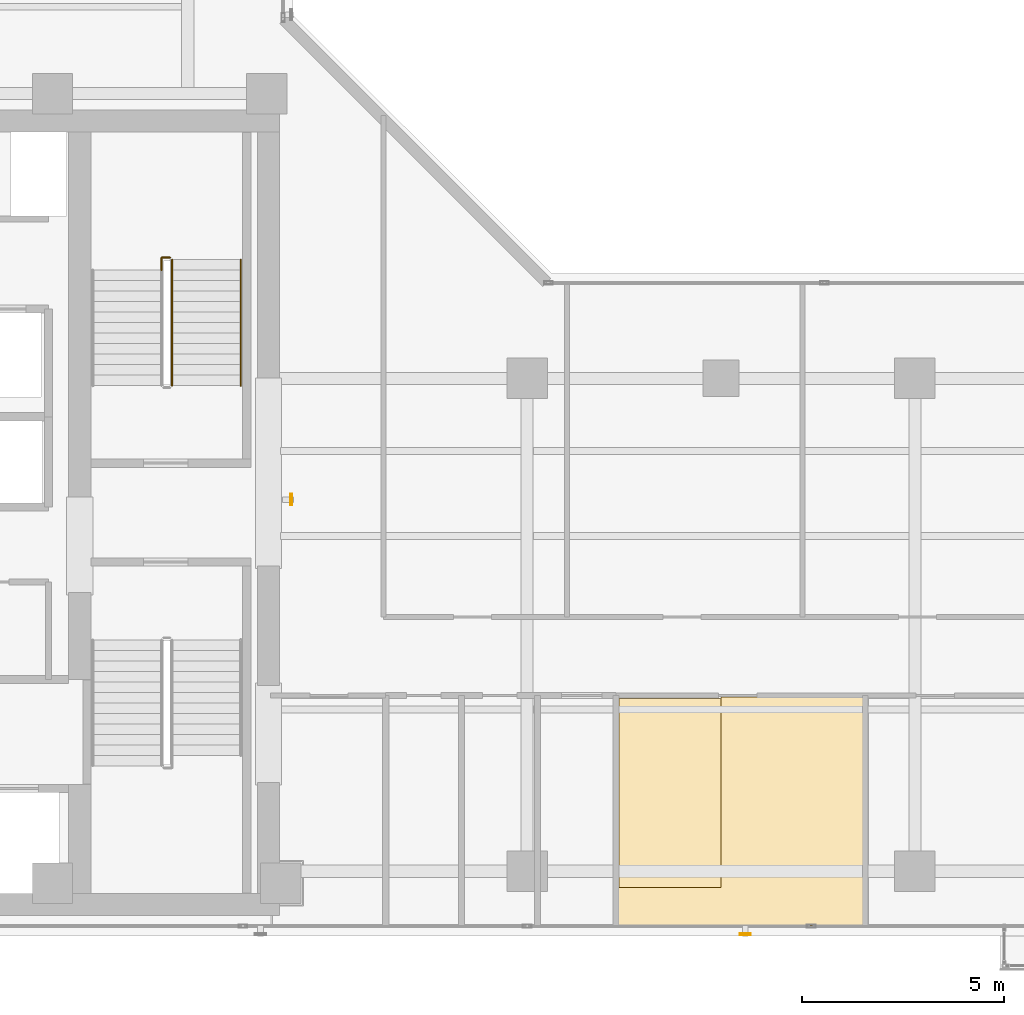
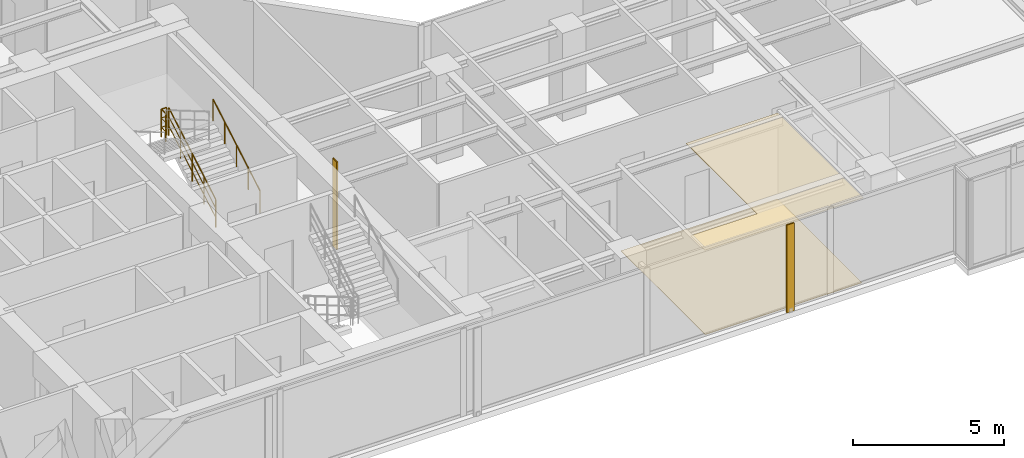
# One storey, part 20 of 23: 3 railings, 2 coverings, 2 shading devices.
"""IFC4 building model written with IfcOpenShell, lengths in metres."""

from ifc_helpers import new_model, si_unit, direction, frame, origin, origin_2d, place, context, subcontext, project, spatial, polyline, hollow_rectangle, circle, outline, extrude, material, layer, layer_set, material_profile, profile_set, type_object, element, save


model = new_model("IFC4")

# Units and contexts
model_context = context("Model", 3, precision=1e-05, world=origin(), true_north=direction((0.0, 1.0)))
body_context = subcontext(model_context, "Body", "Model", "MODEL_VIEW")
ifc_project = project(units=[si_unit("LENGTHUNIT", "METRE"), si_unit("AREAUNIT", "SQUARE_METRE"), si_unit("VOLUMEUNIT", "CUBIC_METRE"), si_unit("PLANEANGLEUNIT", "RADIAN"), si_unit("MASSUNIT", "GRAM", prefix="KILO")], contexts=[model_context])

# Site, building, storey
site_placement = place(None, origin())
site = spatial("IfcSite", under=ifc_project, at=site_placement, CompositionType="ELEMENT")
building_placement = place(site_placement, origin())
building = spatial("IfcBuilding", under=site, at=building_placement, Name="Kolvaren Waterfront Exchange", CompositionType="ELEMENT")
storey_placement = place(building_placement, frame((0.0, 0.0, 227.300048828125)))
storey = spatial("IfcBuildingStorey", under=building, at=storey_placement, Name="L58", CompositionType="ELEMENT", Elevation=227.300048828125)

# Covering
ifc_material_1 = material(Name="Mineral fibre acoustic ceiling tile")
ifc_layer_1 = layer(ifc_material_1, 0.02490234375, Name="Mineral fibre acoustic ceiling tile")
ifc_layer_set_1 = layer_set([ifc_layer_1], Name="Mineral fibre acoustic ceiling tile")
covering_type_1 = type_object("IfcCoveringType", Name="ARC-CEIL-ACOUSTIC-25", PredefinedType="CEILING", material=ifc_layer_set_1)
covering_1_placement = place(storey_placement, frame((0.0, 0.0, 3.445068359375)))
element("IfcCovering", 1, at=covering_1_placement, inside=storey, type_object=covering_type_1, Name="L58 acoustic suspended ceiling 2", PredefinedType="CEILING", context=body_context, shape_type="SweptSolid", body=[
    extrude(outline(polyline([(35.52490234375, 3.844970703125), (35.52490234375, 9.514892578125), (32.0, 9.514892578125), (32.0, 4.800048828125), (29.445068359375, 4.800048828125), (29.445068359375, 3.844970703125), (35.52490234375, 3.844970703125)])), origin(), (0.0, 0.0, 1.0), 0.02490234375),
])

# Shading devices
ifc_material_2 = material(Name="Anodised bronze aluminium 6063-T6", Category="aluminium")
ifc_material_profile = material_profile(ifc_material_2, hollow_rectangle(XDim=0.054931640625, YDim=0.280029296875, WallThickness=0.00439453125, at=origin_2d()), Name="BRZ-FIN-280x55x4.5")
ifc_profile_set = profile_set([ifc_material_profile], Name="Anodised bronze aluminium 6063-T6")
shading_device_type = type_object("IfcShadingDeviceType", Name="ARC-FIN-280", PredefinedType="USERDEFINED", material=ifc_profile_set)
for number, where, z_axis, x_axis, name in (
    (2, (32.60009765625, 3.639892578125, 0.0), (0.0, 0.0, 1.0), (0.0, -1.0, 0.0), "L58 anodised bronze solar shading fin FIN-L58-S3"),
    (3, (21.360107421875, 14.39990234375, 0.0), (0.0, 0.0, 1.0), (1.0, 0.0, 0.0), "L58 anodised bronze solar shading fin FIN-L58-E1"),
):
    element("IfcShadingDevice", number, at=place(storey_placement, frame(where, z_axis=z_axis, x_axis=x_axis)), inside=storey, type_object=shading_device_type, Name=name, ObjectType="SOLAR FIN", PredefinedType="USERDEFINED", context=body_context, shape_type="SweptSolid", body=[
        extrude(hollow_rectangle(XDim=0.054931640625, YDim=0.280029296875, WallThickness=0.00439453125, at=origin_2d()), origin(), (0.0, 0.0, 1.0), 3.56005859375),
    ])

# Covering
ifc_material_3 = material(Name="Slip-resistant porcelain tile")
ifc_layer_2 = layer(ifc_material_3, 0.014892578125, Name="Slip-resistant porcelain tile")
ifc_layer_set_2 = layer_set([ifc_layer_2], Name="Slip-resistant porcelain tile")
covering_type_2 = type_object("IfcCoveringType", Name="ARC-FLR-PORC-15", PredefinedType="FLOORING", material=ifc_layer_set_2)
covering_2_placement = place(storey_placement, origin())
element("IfcCovering", 4, at=covering_2_placement, inside=storey, type_object=covering_type_2, Name="L58 floor finish 2", PredefinedType="FLOORING", context=body_context, shape_type="SweptSolid", body=[
    extrude(outline(polyline([(29.47998046875, 9.47998046875), (29.47998046875, 3.8798828125), (35.489990234375, 3.8798828125), (35.489990234375, 9.47998046875), (29.47998046875, 9.47998046875)])), origin(), (0.0, 0.0, 1.0), 0.014892578125),
])

# Railings
ifc_material_4 = material(Name="Stainless steel 316", Category="steel")
railing_type_1 = type_object("IfcRailingType", Name="ARC-GUARD-STAIR", PredefinedType="GUARDRAIL", material=ifc_material_4)
railing_1_placement = place(storey_placement, frame((18.409912109375, 17.219970703125, 0.15185546875)))
element("IfcRailing", 5, at=railing_1_placement, inside=storey, type_object=railing_type_1, Name="L58 ST2 stair guard 1", PredefinedType="GUARDRAIL", context=body_context, shape_type="SweptSolid", body=[
    extrude(circle(Radius=0.02392578125, at=origin_2d()), frame((0.0, 0.0, 1.1259765625), z_axis=(0.0, 0.86330811405, 0.504677223793), x_axis=(-1.0, 0.0, 0.0)), (0.0, 0.0, 1.0), 3.6142578125),
    extrude(circle(Radius=0.01611328125, at=origin_2d()), frame((0.0, 0.0, 0.390869140625), z_axis=(0.0, 0.86330811405, 0.504677223793), x_axis=(-1.0, 0.0, 0.0)), (0.0, 0.0, 1.0), 3.6142578125),
    extrude(circle(Radius=0.01611328125, at=origin_2d()), frame((0.0, 0.0, 0.7705078125), z_axis=(0.0, 0.86330811405, 0.504677223793), x_axis=(-1.0, 0.0, 0.0)), (0.0, 0.0, 1.0), 3.6142578125),
    extrude(circle(Radius=0.02099609375, at=origin_2d()), origin(), (0.0, 0.0, 1.0), 1.101806640625),
    extrude(circle(Radius=0.02099609375, at=origin_2d()), frame((0.0, 0.780029296875, 0.4560546875)), (0.0, 0.0, 1.0), 1.101806640625),
    extrude(circle(Radius=0.02099609375, at=origin_2d()), frame((0.0, 1.56005859375, 0.912109375)), (0.0, 0.0, 1.0), 1.101806640625),
    extrude(circle(Radius=0.02099609375, at=origin_2d()), frame((0.0, 2.340087890625, 1.367919921875)), (0.0, 0.0, 1.0), 1.101806640625),
    extrude(circle(Radius=0.02099609375, at=origin_2d()), frame((0.0, 3.1201171875, 1.823974609375)), (0.0, 0.0, 1.0), 1.101806640625),
])
railing_2_placement = place(storey_placement, frame((18.360107421875, 20.389892578125, 1.975830078125)))
element("IfcRailing", 6, at=railing_2_placement, inside=storey, type_object=railing_type_1, Name="L58 ST2 stair guard 2", PredefinedType="GUARDRAIL", context=body_context, shape_type="SweptSolid", body=[
    extrude(circle(Radius=0.02392578125, at=origin_2d()), frame((0.0, 0.0, 1.1259765625), z_axis=(-1.0, 0.0, 0.0), x_axis=(0.0, -1.0, 0.0)), (0.0, 0.0, 1.0), 0.210205078125),
    extrude(circle(Radius=0.01611328125, at=origin_2d()), frame((0.0, 0.0, 0.390869140625), z_axis=(-1.0, 0.0, 0.0), x_axis=(0.0, -1.0, 0.0)), (0.0, 0.0, 1.0), 0.210205078125),
    extrude(circle(Radius=0.01611328125, at=origin_2d()), frame((0.0, 0.0, 0.7705078125), z_axis=(-1.0, 0.0, 0.0), x_axis=(0.0, -1.0, 0.0)), (0.0, 0.0, 1.0), 0.210205078125),
    extrude(circle(Radius=0.02392578125, at=origin_2d()), frame((-0.210205078125, 0.0, 1.1259765625), z_axis=(0.0, -1.0, 0.0), x_axis=(1.0, 0.0, 0.0)), (0.0, 0.0, 1.0), 0.309814453125),
    extrude(circle(Radius=0.01611328125, at=origin_2d()), frame((-0.210205078125, 0.0, 0.390869140625), z_axis=(0.0, -1.0, 0.0), x_axis=(1.0, 0.0, 0.0)), (0.0, 0.0, 1.0), 0.309814453125),
    extrude(circle(Radius=0.01611328125, at=origin_2d()), frame((-0.210205078125, 0.0, 0.7705078125), z_axis=(0.0, -1.0, 0.0), x_axis=(1.0, 0.0, 0.0)), (0.0, 0.0, 1.0), 0.309814453125),
    extrude(circle(Radius=0.02099609375, at=origin_2d()), origin(), (0.0, 0.0, 1.0), 1.101806640625),
    extrude(circle(Radius=0.02099609375, at=origin_2d()), frame((-0.210205078125, 0.0, 0.0)), (0.0, 0.0, 1.0), 1.101806640625),
    extrude(circle(Radius=0.02099609375, at=origin_2d()), frame((-0.210205078125, -0.309814453125, 0.0)), (0.0, 0.0, 1.0), 1.101806640625),
])
railing_type_2 = type_object("IfcRailingType", Name="ARC-HANDRAIL-900", PredefinedType="HANDRAIL", material=ifc_material_4)
railing_3_placement = place(storey_placement, frame((20.110107421875, 17.219970703125, 0.15185546875)))
element("IfcRailing", 7, at=railing_3_placement, inside=storey, type_object=railing_type_2, Name="L58 ST2 stair handrail 1", PredefinedType="HANDRAIL", context=body_context, shape_type="SweptSolid", body=[
    extrude(circle(Radius=0.02392578125, at=origin_2d()), frame((0.0, 0.0, 0.8759765625), z_axis=(0.0, 0.86330811405, 0.504677223793), x_axis=(-1.0, 0.0, 0.0)), (0.0, 0.0, 1.0), 3.6142578125),
    extrude(circle(Radius=0.02099609375, at=origin_2d()), origin(), (0.0, 0.0, 1.0), 0.851806640625),
    extrude(circle(Radius=0.02099609375, at=origin_2d()), frame((0.0, 0.780029296875, 0.4560546875)), (0.0, 0.0, 1.0), 0.851806640625),
    extrude(circle(Radius=0.02099609375, at=origin_2d()), frame((0.0, 1.56005859375, 0.912109375)), (0.0, 0.0, 1.0), 0.851806640625),
    extrude(circle(Radius=0.02099609375, at=origin_2d()), frame((0.0, 2.340087890625, 1.367919921875)), (0.0, 0.0, 1.0), 0.851806640625),
    extrude(circle(Radius=0.02099609375, at=origin_2d()), frame((0.0, 3.1201171875, 1.823974609375)), (0.0, 0.0, 1.0), 0.851806640625),
])

save(model, "model.ifc")
